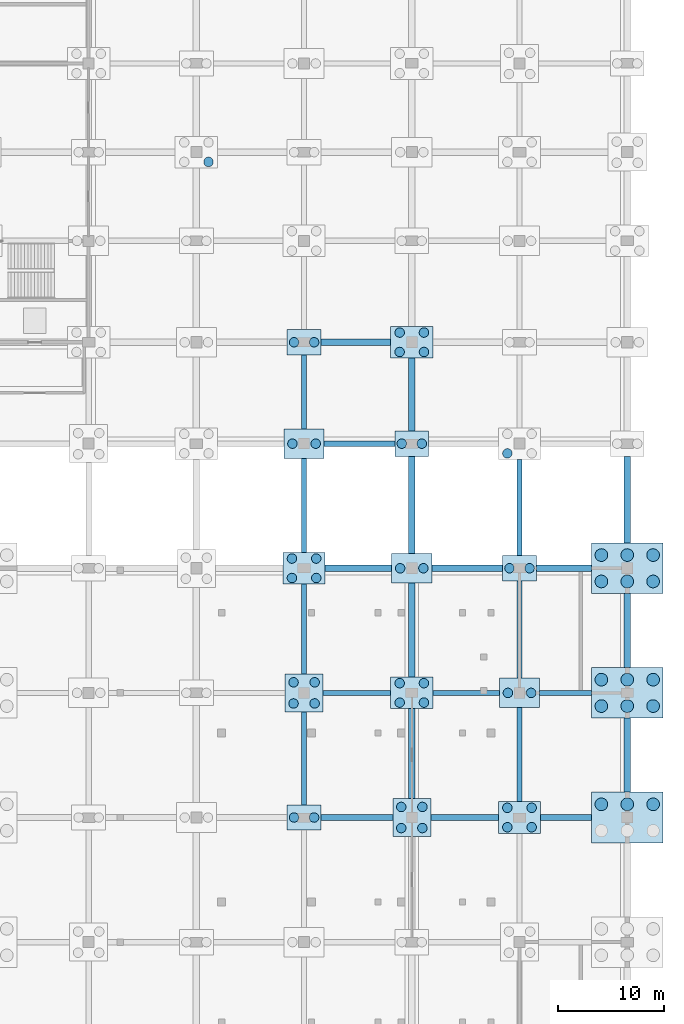
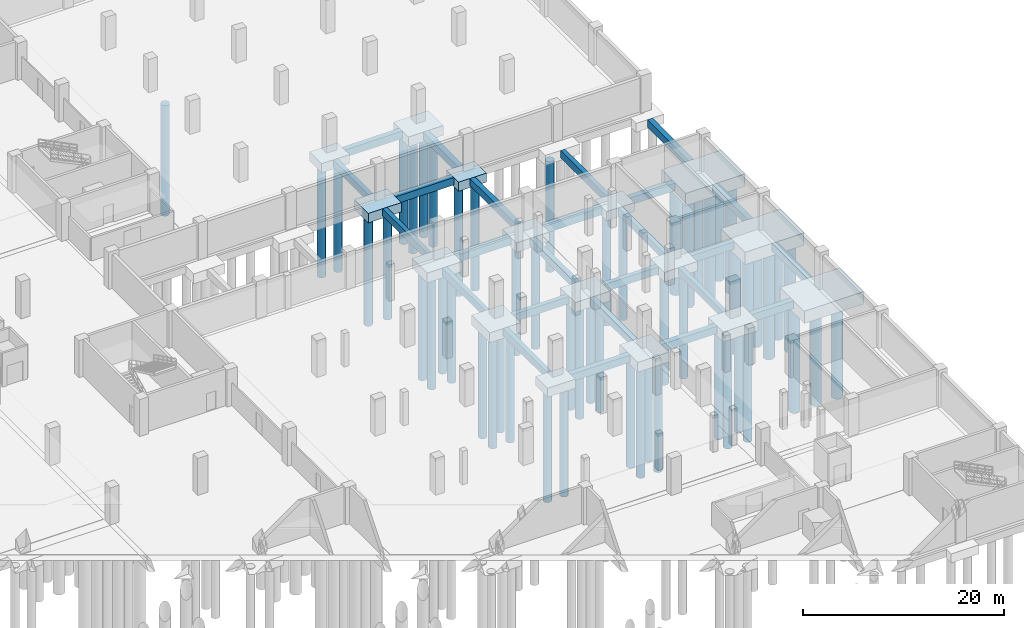
# One storey, part 16 of 52: 55 piles, 41 footings.
"""IFC4 building model written with IfcOpenShell, lengths in metres."""

from ifc_helpers import new_model, si_unit, direction, frame, origin, origin_2d, place, context, subcontext, project, spatial, polyline, rectangle, circle, outline, extrude, material, material_profile, profile_set, type_object, element, save


model = new_model("IFC4")

# Units and contexts
model_context = context("Model", 3, precision=1e-05, world=origin(), true_north=direction((0.0, 1.0)))
body_context = subcontext(model_context, "Body", "Model", "MODEL_VIEW")
ifc_project = project(units=[si_unit("LENGTHUNIT", "METRE"), si_unit("AREAUNIT", "SQUARE_METRE"), si_unit("VOLUMEUNIT", "CUBIC_METRE"), si_unit("PLANEANGLEUNIT", "RADIAN"), si_unit("MASSUNIT", "GRAM", prefix="KILO")], contexts=[model_context])

# Site, building, storey
site_placement = place(None, origin())
site = spatial("IfcSite", under=ifc_project, at=site_placement, CompositionType="ELEMENT")
building_placement = place(site_placement, origin())
building = spatial("IfcBuilding", under=site, at=building_placement, Name="Brelvane Convention Centre", CompositionType="ELEMENT")
storey_placement = place(building_placement, frame((0.0, 0.0, -4.5)))
storey = spatial("IfcBuildingStorey", under=building, at=storey_placement, Name="B1", CompositionType="ELEMENT", Elevation=-4.5)

# Piles
ifc_material_1 = material(Name="Concrete M40", Category="concrete")
ifc_material_profile_1 = material_profile(ifc_material_1, circle(Radius=0.60009765625, at=origin_2d()), Name="PILE D1200")
ifc_profile_set_1 = profile_set([ifc_material_profile_1], Name="Concrete M40")
pile_type_1 = type_object("IfcPileType", Name="Bored Pile PL-1200", PredefinedType="BORED", material=ifc_profile_set_1)
for number, where, z_axis, x_axis, name in (
    (1, (221.949951171875, 65.449951171875, -1.85009765625), (0.0, 0.0, -1.0), (1.0, 0.0, 0.0), "Bored Pile PL-1200 23-G-4"),
    (2, (224.39990234375, 65.449951171875, -1.85009765625), (0.0, 0.0, -1.0), (1.0, 0.0, 0.0), "Bored Pile PL-1200 23-G-5"),
    (3, (226.85009765625, 65.449951171875, -1.85009765625), (0.0, 0.0, -1.0), (1.0, 0.0, 0.0), "Bored Pile PL-1200 23-G-6"),
    (4, (221.949951171875, 74.75, -1.85009765625), (0.0, 0.0, -1.0), (1.0, 0.0, 0.0), "Bored Pile PL-1200 23-H-1"),
    (5, (224.39990234375, 74.75, -1.85009765625), (0.0, 0.0, -1.0), (1.0, 0.0, 0.0), "Bored Pile PL-1200 23-H-2"),
    (6, (226.85009765625, 74.75, -1.85009765625), (0.0, 0.0, -1.0), (1.0, 0.0, 0.0), "Bored Pile PL-1200 23-H-3"),
    (7, (221.949951171875, 77.25, -1.85009765625), (0.0, 0.0, -1.0), (1.0, 0.0, 0.0), "Bored Pile PL-1200 23-H-4"),
    (8, (224.39990234375, 77.25, -1.85009765625), (0.0, 0.0, -1.0), (1.0, 0.0, 0.0), "Bored Pile PL-1200 23-H-5"),
    (9, (226.85009765625, 77.25, -1.85009765625), (0.0, 0.0, -1.0), (1.0, 0.0, 0.0), "Bored Pile PL-1200 23-H-6"),
    (10, (221.949951171875, 86.550048828125, -1.85009765625), (0.0, 0.0, -1.0), (1.0, 0.0, 0.0), "Bored Pile PL-1200 23-J-1"),
    (11, (224.39990234375, 86.550048828125, -1.85009765625), (0.0, 0.0, -1.0), (1.0, 0.0, 0.0), "Bored Pile PL-1200 23-J-2"),
    (12, (226.85009765625, 86.550048828125, -1.85009765625), (0.0, 0.0, -1.0), (1.0, 0.0, 0.0), "Bored Pile PL-1200 23-J-3"),
    (13, (221.949951171875, 89.050048828125, -1.85009765625), (0.0, 0.0, -1.0), (1.0, 0.0, 0.0), "Bored Pile PL-1200 23-J-4"),
    (14, (224.39990234375, 89.050048828125, -1.85009765625), (0.0, 0.0, -1.0), (1.0, 0.0, 0.0), "Bored Pile PL-1200 23-J-5"),
    (15, (226.85009765625, 89.050048828125, -1.85009765625), (0.0, 0.0, -1.0), (1.0, 0.0, 0.0), "Bored Pile PL-1200 23-J-6"),
):
    element("IfcPile", number, at=place(storey_placement, frame(where, z_axis=z_axis, x_axis=x_axis)), inside=storey, type_object=pile_type_1, Name=name, PredefinedType="BORED", context=body_context, shape_type="SweptSolid", body=[
        extrude(circle(Radius=0.60009765625, at=origin_2d()), origin(), (0.0, 0.0, 1.0), 13.14990234375),
    ])
ifc_material_2 = material(Name="Concrete M40", Category="concrete")
ifc_material_profile_2 = material_profile(ifc_material_2, circle(Radius=0.449951171875, at=origin_2d()), Name="PILE D900")
ifc_profile_set_2 = profile_set([ifc_material_profile_2], Name="Concrete M40")
pile_type_2 = type_object("IfcPileType", Name="Bored Pile PL-900", PredefinedType="BORED", material=ifc_profile_set_2)
pile_1_placement = place(storey_placement, frame((184.75, 126.280029296875, -1.550048828125), z_axis=(0.0, 0.0, -1.0), x_axis=(1.0, 0.0, 0.0)))
element("IfcPile", 16, at=pile_1_placement, inside=storey, type_object=pile_type_2, Name="Bored Pile PL-900 19-N-2", PredefinedType="BORED", context=body_context, shape_type="SweptSolid", body=[
    extrude(circle(Radius=0.449951171875, at=origin_2d()), origin(), (0.0, 0.0, 1.0), 13.449951171875),
])
for number, where, z_axis, x_axis, name in (
    (17, (192.85009765625, 64.199951171875, -1.449951171875), (0.0, 0.0, -1.0), (1.0, 0.0, 0.0), "Bored Pile PL-900 20-G-1"),
    (18, (194.75, 64.199951171875, -1.449951171875), (0.0, 0.0, -1.0), (1.0, 0.0, 0.0), "Bored Pile PL-900 20-G-2"),
):
    element("IfcPile", number, at=place(storey_placement, frame(where, z_axis=z_axis, x_axis=x_axis)), inside=storey, type_object=pile_type_2, Name=name, PredefinedType="BORED", context=body_context, shape_type="SweptSolid", body=[
        extrude(circle(Radius=0.449951171875, at=origin_2d()), origin(), (0.0, 0.0, 1.0), 13.550048828125),
    ])
for number, where, z_axis, x_axis, name in (
    (19, (192.800048828125, 75.0, -1.550048828125), (0.0, 0.0, -1.0), (1.0, 0.0, 0.0), "Bored Pile PL-900 20-H-1"),
    (20, (194.800048828125, 75.0, -1.550048828125), (0.0, 0.0, -1.0), (1.0, 0.0, 0.0), "Bored Pile PL-900 20-H-2"),
    (21, (192.800048828125, 77.0, -1.550048828125), (0.0, 0.0, -1.0), (1.0, 0.0, 0.0), "Bored Pile PL-900 20-H-3"),
    (22, (194.800048828125, 77.0, -1.550048828125), (0.0, 0.0, -1.0), (1.0, 0.0, 0.0), "Bored Pile PL-900 20-H-4"),
    (23, (192.64990234375, 86.8798828125, -1.550048828125), (0.0, 0.0, -1.0), (1.0, 0.0, 0.0), "Bored Pile PL-900 20-J-1"),
    (24, (194.949951171875, 86.8798828125, -1.550048828125), (0.0, 0.0, -1.0), (1.0, 0.0, 0.0), "Bored Pile PL-900 20-J-2"),
    (25, (192.64990234375, 88.719970703125, -1.550048828125), (0.0, 0.0, -1.0), (1.0, 0.0, 0.0), "Bored Pile PL-900 20-J-3"),
    (26, (194.949951171875, 88.719970703125, -1.550048828125), (0.0, 0.0, -1.0), (1.0, 0.0, 0.0), "Bored Pile PL-900 20-J-4"),
):
    element("IfcPile", number, at=place(storey_placement, frame(where, z_axis=z_axis, x_axis=x_axis)), inside=storey, type_object=pile_type_2, Name=name, PredefinedType="BORED", context=body_context, shape_type="SweptSolid", body=[
        extrude(circle(Radius=0.449951171875, at=origin_2d()), origin(), (0.0, 0.0, 1.0), 13.449951171875),
    ])
for number, where, z_axis, x_axis, name in (
    (27, (192.699951171875, 99.60009765625, -1.5), (0.0, 0.0, -1.0), (1.0, 0.0, 0.0), "Bored Pile PL-900 20-K-1"),
    (28, (194.89990234375, 99.60009765625, -1.5), (0.0, 0.0, -1.0), (1.0, 0.0, 0.0), "Bored Pile PL-900 20-K-2"),
):
    element("IfcPile", number, at=place(storey_placement, frame(where, z_axis=z_axis, x_axis=x_axis)), inside=storey, type_object=pile_type_2, Name=name, PredefinedType="BORED", context=body_context, shape_type="SweptSolid", body=[
        extrude(circle(Radius=0.449951171875, at=origin_2d()), origin(), (0.0, 0.0, 1.0), 13.5),
    ])
for number, where, z_axis, x_axis, name in (
    (29, (192.85009765625, 109.199951171875, -1.449951171875), (0.0, 0.0, -1.0), (1.0, 0.0, 0.0), "Bored Pile PL-900 20-L-1"),
    (30, (194.75, 109.199951171875, -1.449951171875), (0.0, 0.0, -1.0), (1.0, 0.0, 0.0), "Bored Pile PL-900 20-L-2"),
):
    element("IfcPile", number, at=place(storey_placement, frame(where, z_axis=z_axis, x_axis=x_axis)), inside=storey, type_object=pile_type_2, Name=name, PredefinedType="BORED", context=body_context, shape_type="SweptSolid", body=[
        extrude(circle(Radius=0.449951171875, at=origin_2d()), origin(), (0.0, 0.0, 1.0), 13.550048828125),
    ])
for number, where, z_axis, x_axis, name in (
    (31, (203.0, 63.199951171875, -1.550048828125), (0.0, 0.0, -1.0), (1.0, 0.0, 0.0), "Bored Pile PL-900 21-G-1"),
    (32, (205.0, 63.199951171875, -1.550048828125), (0.0, 0.0, -1.0), (1.0, 0.0, 0.0), "Bored Pile PL-900 21-G-2"),
    (33, (203.0, 65.199951171875, -1.550048828125), (0.0, 0.0, -1.0), (1.0, 0.0, 0.0), "Bored Pile PL-900 21-G-3"),
    (34, (205.0, 65.199951171875, -1.550048828125), (0.0, 0.0, -1.0), (1.0, 0.0, 0.0), "Bored Pile PL-900 21-G-4"),
    (35, (202.85009765625, 75.080078125, -1.550048828125), (0.0, 0.0, -1.0), (1.0, 0.0, 0.0), "Bored Pile PL-900 21-H-1"),
    (36, (205.14990234375, 75.080078125, -1.550048828125), (0.0, 0.0, -1.0), (1.0, 0.0, 0.0), "Bored Pile PL-900 21-H-2"),
    (37, (202.85009765625, 76.919921875, -1.550048828125), (0.0, 0.0, -1.0), (1.0, 0.0, 0.0), "Bored Pile PL-900 21-H-3"),
    (38, (205.14990234375, 76.919921875, -1.550048828125), (0.0, 0.0, -1.0), (1.0, 0.0, 0.0), "Bored Pile PL-900 21-H-4"),
):
    element("IfcPile", number, at=place(storey_placement, frame(where, z_axis=z_axis, x_axis=x_axis)), inside=storey, type_object=pile_type_2, Name=name, PredefinedType="BORED", context=body_context, shape_type="SweptSolid", body=[
        extrude(circle(Radius=0.449951171875, at=origin_2d()), origin(), (0.0, 0.0, 1.0), 13.449951171875),
    ])
for number, where, z_axis, x_axis, name in (
    (39, (202.89990234375, 87.800048828125, -1.5), (0.0, 0.0, -1.0), (1.0, 0.0, 0.0), "Bored Pile PL-900 21-J-1"),
    (40, (205.10009765625, 87.800048828125, -1.5), (0.0, 0.0, -1.0), (1.0, 0.0, 0.0), "Bored Pile PL-900 21-J-2"),
):
    element("IfcPile", number, at=place(storey_placement, frame(where, z_axis=z_axis, x_axis=x_axis)), inside=storey, type_object=pile_type_2, Name=name, PredefinedType="BORED", context=body_context, shape_type="SweptSolid", body=[
        extrude(circle(Radius=0.449951171875, at=origin_2d()), origin(), (0.0, 0.0, 1.0), 13.5),
    ])
for number, where, z_axis, x_axis, name in (
    (41, (203.050048828125, 99.60009765625, -1.449951171875), (0.0, 0.0, -1.0), (1.0, 0.0, 0.0), "Bored Pile PL-900 21-K-1"),
    (42, (204.949951171875, 99.60009765625, -1.449951171875), (0.0, 0.0, -1.0), (1.0, 0.0, 0.0), "Bored Pile PL-900 21-K-2"),
):
    element("IfcPile", number, at=place(storey_placement, frame(where, z_axis=z_axis, x_axis=x_axis)), inside=storey, type_object=pile_type_2, Name=name, PredefinedType="BORED", context=body_context, shape_type="SweptSolid", body=[
        extrude(circle(Radius=0.449951171875, at=origin_2d()), origin(), (0.0, 0.0, 1.0), 13.550048828125),
    ])
for number, where, z_axis, x_axis, name in (
    (43, (202.85009765625, 108.280029296875, -1.550048828125), (0.0, 0.0, -1.0), (1.0, 0.0, 0.0), "Bored Pile PL-900 21-L-1"),
    (44, (205.14990234375, 108.280029296875, -1.550048828125), (0.0, 0.0, -1.0), (1.0, 0.0, 0.0), "Bored Pile PL-900 21-L-2"),
    (45, (202.85009765625, 110.1201171875, -1.550048828125), (0.0, 0.0, -1.0), (1.0, 0.0, 0.0), "Bored Pile PL-900 21-L-3"),
    (46, (205.14990234375, 110.1201171875, -1.550048828125), (0.0, 0.0, -1.0), (1.0, 0.0, 0.0), "Bored Pile PL-900 21-L-4"),
    (47, (213.050048828125, 63.280029296875, -1.550048828125), (0.0, 0.0, -1.0), (1.0, 0.0, 0.0), "Bored Pile PL-900 22-G-1"),
    (48, (215.35009765625, 63.280029296875, -1.550048828125), (0.0, 0.0, -1.0), (1.0, 0.0, 0.0), "Bored Pile PL-900 22-G-2"),
    (49, (213.050048828125, 65.1201171875, -1.550048828125), (0.0, 0.0, -1.0), (1.0, 0.0, 0.0), "Bored Pile PL-900 22-G-3"),
    (50, (215.35009765625, 65.1201171875, -1.550048828125), (0.0, 0.0, -1.0), (1.0, 0.0, 0.0), "Bored Pile PL-900 22-G-4"),
):
    element("IfcPile", number, at=place(storey_placement, frame(where, z_axis=z_axis, x_axis=x_axis)), inside=storey, type_object=pile_type_2, Name=name, PredefinedType="BORED", context=body_context, shape_type="SweptSolid", body=[
        extrude(circle(Radius=0.449951171875, at=origin_2d()), origin(), (0.0, 0.0, 1.0), 13.449951171875),
    ])
for number, where, z_axis, x_axis, name in (
    (51, (213.10009765625, 76.0, -1.5), (0.0, 0.0, -1.0), (1.0, 0.0, 0.0), "Bored Pile PL-900 22-H-1"),
    (52, (215.300048828125, 76.0, -1.5), (0.0, 0.0, -1.0), (1.0, 0.0, 0.0), "Bored Pile PL-900 22-H-2"),
):
    element("IfcPile", number, at=place(storey_placement, frame(where, z_axis=z_axis, x_axis=x_axis)), inside=storey, type_object=pile_type_2, Name=name, PredefinedType="BORED", context=body_context, shape_type="SweptSolid", body=[
        extrude(circle(Radius=0.449951171875, at=origin_2d()), origin(), (0.0, 0.0, 1.0), 13.5),
    ])
for number, where, z_axis, x_axis, name in (
    (53, (213.25, 87.800048828125, -1.449951171875), (0.0, 0.0, -1.0), (1.0, 0.0, 0.0), "Bored Pile PL-900 22-J-1"),
    (54, (215.14990234375, 87.800048828125, -1.449951171875), (0.0, 0.0, -1.0), (1.0, 0.0, 0.0), "Bored Pile PL-900 22-J-2"),
):
    element("IfcPile", number, at=place(storey_placement, frame(where, z_axis=z_axis, x_axis=x_axis)), inside=storey, type_object=pile_type_2, Name=name, PredefinedType="BORED", context=body_context, shape_type="SweptSolid", body=[
        extrude(circle(Radius=0.449951171875, at=origin_2d()), origin(), (0.0, 0.0, 1.0), 13.550048828125),
    ])
pile_2_placement = place(storey_placement, frame((213.050048828125, 98.679931640625, -1.550048828125), z_axis=(0.0, 0.0, -1.0), x_axis=(1.0, 0.0, 0.0)))
element("IfcPile", 55, at=pile_2_placement, inside=storey, type_object=pile_type_2, Name="Bored Pile PL-900 22-K-1", PredefinedType="BORED", context=body_context, shape_type="SweptSolid", body=[
    extrude(circle(Radius=0.449951171875, at=origin_2d()), origin(), (0.0, 0.0, 1.0), 13.449951171875),
])

# Footings
ifc_material_3 = material(Name="Concrete M40", Category="concrete")
ifc_material_profile_3 = material_profile(ifc_material_3, rectangle(XDim=0.60009765625, YDim=0.89990234375, at=origin_2d()), Name="RC 600x900")
ifc_profile_set_3 = profile_set([ifc_material_profile_3], Name="Concrete M40")
footing_type_1 = type_object("IfcFootingType", Name="Ground Tie Beam GB-1", PredefinedType="FOOTING_BEAM", material=ifc_profile_set_3)
footing_1_placement = place(storey_placement, frame((195.39990234375, 64.199951171875, -0.89990234375), z_axis=(1.0, 0.0, 0.0), x_axis=(0.0, 1.0, 0.0)))
element("IfcFooting", 56, at=footing_1_placement, inside=storey, type_object=footing_type_1, Name="Ground Tie Beam GB-1 20-21/G", PredefinedType="FOOTING_BEAM", context=body_context, shape_type="SweptSolid", body=[
    extrude(rectangle(XDim=0.60009765625, YDim=0.89990234375, at=origin_2d()), origin(), (0.0, 0.0, 1.0), 6.800048828125),
])
footing_2_placement = place(storey_placement, frame((195.800048828125, 87.800048828125, -0.89990234375), z_axis=(1.0, 0.0, 0.0), x_axis=(0.0, 1.0, 0.0)))
element("IfcFooting", 57, at=footing_2_placement, inside=storey, type_object=footing_type_1, Name="Ground Tie Beam GB-1 20-21/J", PredefinedType="FOOTING_BEAM", context=body_context, shape_type="SweptSolid", body=[
    extrude(rectangle(XDim=0.60009765625, YDim=0.89990234375, at=origin_2d()), origin(), (0.0, 0.0, 1.0), 6.300048828125),
])
footing_3_placement = place(storey_placement, frame((195.39990234375, 109.199951171875, -0.89990234375), z_axis=(1.0, 0.0, 0.0), x_axis=(0.0, 1.0, 0.0)))
element("IfcFooting", 58, at=footing_3_placement, inside=storey, type_object=footing_type_1, Name="Ground Tie Beam GB-1 20-21/L", PredefinedType="FOOTING_BEAM", context=body_context, shape_type="SweptSolid", body=[
    extrude(rectangle(XDim=0.60009765625, YDim=0.89990234375, at=origin_2d()), origin(), (0.0, 0.0, 1.0), 6.60009765625),
])
footing_4_placement = place(storey_placement, frame((205.800048828125, 64.199951171875, -0.89990234375), z_axis=(1.0, 0.0, 0.0), x_axis=(0.0, 1.0, 0.0)))
element("IfcFooting", 59, at=footing_4_placement, inside=storey, type_object=footing_type_1, Name="Ground Tie Beam GB-1 21-22/G", PredefinedType="FOOTING_BEAM", context=body_context, shape_type="SweptSolid", body=[
    extrude(rectangle(XDim=0.60009765625, YDim=0.89990234375, at=origin_2d()), origin(), (0.0, 0.0, 1.0), 6.39990234375),
])
footing_5_placement = place(storey_placement, frame((204.0, 66.0, -0.89990234375), z_axis=(0.0, 1.0, 0.0), x_axis=(-1.0, 0.0, 0.0)))
element("IfcFooting", 60, at=footing_5_placement, inside=storey, type_object=footing_type_1, Name="Ground Tie Beam GB-1 21/G-H", PredefinedType="FOOTING_BEAM", context=body_context, shape_type="SweptSolid", body=[
    extrude(rectangle(XDim=0.60009765625, YDim=0.89990234375, at=origin_2d()), origin(), (0.0, 0.0, 1.0), 8.5),
])
footing_6_placement = place(storey_placement, frame((204.0, 77.5, -0.89990234375), z_axis=(0.0, 1.0, 0.0), x_axis=(-1.0, 0.0, 0.0)))
element("IfcFooting", 61, at=footing_6_placement, inside=storey, type_object=footing_type_1, Name="Ground Tie Beam GB-1 21/H-J", PredefinedType="FOOTING_BEAM", context=body_context, shape_type="SweptSolid", body=[
    extrude(rectangle(XDim=0.60009765625, YDim=0.89990234375, at=origin_2d()), origin(), (0.0, 0.0, 1.0), 8.89990234375),
])
footing_7_placement = place(storey_placement, frame((205.89990234375, 87.800048828125, -0.89990234375), z_axis=(1.0, 0.0, 0.0), x_axis=(0.0, 1.0, 0.0)))
element("IfcFooting", 62, at=footing_7_placement, inside=storey, type_object=footing_type_1, Name="Ground Tie Beam GB-1 21-22/J", PredefinedType="FOOTING_BEAM", context=body_context, shape_type="SweptSolid", body=[
    extrude(rectangle(XDim=0.60009765625, YDim=0.89990234375, at=origin_2d()), origin(), (0.0, 0.0, 1.0), 6.7001953125),
])
footing_8_placement = place(storey_placement, frame((204.0, 89.199951171875, -0.89990234375), z_axis=(0.0, 1.0, 0.0), x_axis=(-1.0, 0.0, 0.0)))
element("IfcFooting", 63, at=footing_8_placement, inside=storey, type_object=footing_type_1, Name="Ground Tie Beam GB-1 21/J-K", PredefinedType="FOOTING_BEAM", context=body_context, shape_type="SweptSolid", body=[
    extrude(rectangle(XDim=0.60009765625, YDim=0.89990234375, at=origin_2d()), origin(), (0.0, 0.0, 1.0), 9.199951171875),
])
footing_9_placement = place(storey_placement, frame((204.0, 100.800048828125, -0.89990234375), z_axis=(0.0, 1.0, 0.0), x_axis=(-1.0, 0.0, 0.0)))
element("IfcFooting", 64, at=footing_9_placement, inside=storey, type_object=footing_type_1, Name="Ground Tie Beam GB-1 21/K-L", PredefinedType="FOOTING_BEAM", context=body_context, shape_type="SweptSolid", body=[
    extrude(rectangle(XDim=0.60009765625, YDim=0.89990234375, at=origin_2d()), origin(), (0.0, 0.0, 1.0), 6.89990234375),
])
footing_10_placement = place(storey_placement, frame((216.199951171875, 64.199951171875, -0.89990234375), z_axis=(1.0, 0.0, 0.0), x_axis=(0.0, 1.0, 0.0)))
element("IfcFooting", 65, at=footing_10_placement, inside=storey, type_object=footing_type_1, Name="Ground Tie Beam GB-1 22-23/G", PredefinedType="FOOTING_BEAM", context=body_context, shape_type="SweptSolid", body=[
    extrude(rectangle(XDim=0.60009765625, YDim=0.89990234375, at=origin_2d()), origin(), (0.0, 0.0, 1.0), 4.800048828125),
])
footing_11_placement = place(storey_placement, frame((215.800048828125, 87.800048828125, -0.89990234375), z_axis=(1.0, 0.0, 0.0), x_axis=(0.0, 1.0, 0.0)))
element("IfcFooting", 66, at=footing_11_placement, inside=storey, type_object=footing_type_1, Name="Ground Tie Beam GB-1 22-23/J", PredefinedType="FOOTING_BEAM", context=body_context, shape_type="SweptSolid", body=[
    extrude(rectangle(XDim=0.60009765625, YDim=0.89990234375, at=origin_2d()), origin(), (0.0, 0.0, 1.0), 5.199951171875),
])
for number, where, z_axis, x_axis, name in (
    (67, (224.39990234375, 66.60009765625, -0.89990234375), (0.0, 1.0, 0.0), (-1.0, 0.0, 0.0), "Ground Tie Beam GB-1 23/G-H"),
    (68, (224.39990234375, 78.39990234375, -0.89990234375), (0.0, 1.0, 0.0), (-1.0, 0.0, 0.0), "Ground Tie Beam GB-1 23/H-J"),
):
    element("IfcFooting", number, at=place(storey_placement, frame(where, z_axis=z_axis, x_axis=x_axis)), inside=storey, type_object=footing_type_1, Name=name, PredefinedType="FOOTING_BEAM", context=body_context, shape_type="SweptSolid", body=[
        extrude(rectangle(XDim=0.60009765625, YDim=0.89990234375, at=origin_2d()), origin(), (0.0, 0.0, 1.0), 7.0),
    ])
footing_12_placement = place(storey_placement, frame((224.39990234375, 90.199951171875, -0.89990234375), z_axis=(0.0, 1.0, 0.0), x_axis=(-1.0, 0.0, 0.0)))
element("IfcFooting", 69, at=footing_12_placement, inside=storey, type_object=footing_type_1, Name="Ground Tie Beam GB-1 23/J-K", PredefinedType="FOOTING_BEAM", context=body_context, shape_type="SweptSolid", body=[
    extrude(rectangle(XDim=0.60009765625, YDim=0.89990234375, at=origin_2d()), origin(), (0.0, 0.0, 1.0), 8.199951171875),
])
ifc_material_4 = material(Name="Concrete M40", Category="concrete")
ifc_material_profile_4 = material_profile(ifc_material_4, rectangle(XDim=0.5, YDim=0.89990234375, at=origin_2d()), Name="RC 500x900")
ifc_profile_set_4 = profile_set([ifc_material_profile_4], Name="Concrete M40")
footing_type_2 = type_object("IfcFootingType", Name="Ground Tie Beam GB-2", PredefinedType="FOOTING_BEAM", material=ifc_profile_set_4)
footing_13_placement = place(storey_placement, frame((193.800048828125, 65.39990234375, -0.89990234375), z_axis=(0.0, 1.0, 0.0), x_axis=(-1.0, 0.0, 0.0)))
element("IfcFooting", 70, at=footing_13_placement, inside=storey, type_object=footing_type_2, Name="Ground Tie Beam GB-2 20/G-H", PredefinedType="FOOTING_BEAM", context=body_context, shape_type="SweptSolid", body=[
    extrude(rectangle(XDim=0.5, YDim=0.89990234375, at=origin_2d()), origin(), (0.0, 0.0, 1.0), 8.800048828125),
])
footing_14_placement = place(storey_placement, frame((195.60009765625, 76.0, -0.89990234375), z_axis=(1.0, 0.0, 0.0), x_axis=(0.0, 1.0, 0.0)))
element("IfcFooting", 71, at=footing_14_placement, inside=storey, type_object=footing_type_2, Name="Ground Tie Beam GB-2 20-21/H", PredefinedType="FOOTING_BEAM", context=body_context, shape_type="SweptSolid", body=[
    extrude(rectangle(XDim=0.5, YDim=0.89990234375, at=origin_2d()), origin(), (0.0, 0.0, 1.0), 6.39990234375),
])
footing_15_placement = place(storey_placement, frame((193.800048828125, 77.800048828125, -0.89990234375), z_axis=(0.0, 1.0, 0.0), x_axis=(-1.0, 0.0, 0.0)))
element("IfcFooting", 72, at=footing_15_placement, inside=storey, type_object=footing_type_2, Name="Ground Tie Beam GB-2 20/H-J", PredefinedType="FOOTING_BEAM", context=body_context, shape_type="SweptSolid", body=[
    extrude(rectangle(XDim=0.5, YDim=0.89990234375, at=origin_2d()), origin(), (0.0, 0.0, 1.0), 8.5),
])
footing_16_placement = place(storey_placement, frame((193.800048828125, 89.300048828125, -0.89990234375), z_axis=(0.0, 1.0, 0.0), x_axis=(-1.0, 0.0, 0.0)))
element("IfcFooting", 73, at=footing_16_placement, inside=storey, type_object=footing_type_2, Name="Ground Tie Beam GB-2 20/J-K", PredefinedType="FOOTING_BEAM", context=body_context, shape_type="SweptSolid", body=[
    extrude(rectangle(XDim=0.5, YDim=0.89990234375, at=origin_2d()), origin(), (0.0, 0.0, 1.0), 8.89990234375),
])
footing_17_placement = place(storey_placement, frame((195.699951171875, 99.60009765625, -0.89990234375), z_axis=(1.0, 0.0, 0.0), x_axis=(0.0, 1.0, 0.0)))
element("IfcFooting", 74, at=footing_17_placement, inside=storey, type_object=footing_type_2, Name="Ground Tie Beam GB-2 20-21/K", PredefinedType="FOOTING_BEAM", context=body_context, shape_type="SweptSolid", body=[
    extrude(rectangle(XDim=0.5, YDim=0.89990234375, at=origin_2d()), origin(), (0.0, 0.0, 1.0), 6.699951171875),
])
footing_18_placement = place(storey_placement, frame((193.800048828125, 101.0, -0.89990234375), z_axis=(0.0, 1.0, 0.0), x_axis=(-1.0, 0.0, 0.0)))
element("IfcFooting", 75, at=footing_18_placement, inside=storey, type_object=footing_type_2, Name="Ground Tie Beam GB-2 20/K-L", PredefinedType="FOOTING_BEAM", context=body_context, shape_type="SweptSolid", body=[
    extrude(rectangle(XDim=0.5, YDim=0.89990234375, at=origin_2d()), origin(), (0.0, 0.0, 1.0), 7.0),
])
footing_19_placement = place(storey_placement, frame((206.0, 76.0, -0.89990234375), z_axis=(1.0, 0.0, 0.0), x_axis=(0.0, 1.0, 0.0)))
element("IfcFooting", 76, at=footing_19_placement, inside=storey, type_object=footing_type_2, Name="Ground Tie Beam GB-2 21-22/H", PredefinedType="FOOTING_BEAM", context=body_context, shape_type="SweptSolid", body=[
    extrude(rectangle(XDim=0.5, YDim=0.89990234375, at=origin_2d()), origin(), (0.0, 0.0, 1.0), 6.300048828125),
])
footing_20_placement = place(storey_placement, frame((214.199951171875, 65.699951171875, -0.89990234375), z_axis=(0.0, 1.0, 0.0), x_axis=(-1.0, 0.0, 0.0)))
element("IfcFooting", 77, at=footing_20_placement, inside=storey, type_object=footing_type_2, Name="Ground Tie Beam GB-2 22/G-H", PredefinedType="FOOTING_BEAM", context=body_context, shape_type="SweptSolid", body=[
    extrude(rectangle(XDim=0.5, YDim=0.89990234375, at=origin_2d()), origin(), (0.0, 0.0, 1.0), 8.900146484375),
])
footing_21_placement = place(storey_placement, frame((216.10009765625, 76.0, -0.89990234375), z_axis=(1.0, 0.0, 0.0), x_axis=(0.0, 1.0, 0.0)))
element("IfcFooting", 78, at=footing_21_placement, inside=storey, type_object=footing_type_2, Name="Ground Tie Beam GB-2 22-23/H", PredefinedType="FOOTING_BEAM", context=body_context, shape_type="SweptSolid", body=[
    extrude(rectangle(XDim=0.5, YDim=0.89990234375, at=origin_2d()), origin(), (0.0, 0.0, 1.0), 4.89990234375),
])
footing_22_placement = place(storey_placement, frame((214.199951171875, 77.39990234375, -0.89990234375), z_axis=(0.0, 1.0, 0.0), x_axis=(-1.0, 0.0, 0.0)))
element("IfcFooting", 79, at=footing_22_placement, inside=storey, type_object=footing_type_2, Name="Ground Tie Beam GB-2 22/H-J", PredefinedType="FOOTING_BEAM", context=body_context, shape_type="SweptSolid", body=[
    extrude(rectangle(XDim=0.5, YDim=0.89990234375, at=origin_2d()), origin(), (0.0, 0.0, 1.0), 9.2001953125),
])
footing_23_placement = place(storey_placement, frame((214.199951171875, 89.0, -0.89990234375), z_axis=(0.0, 1.0, 0.0), x_axis=(-1.0, 0.0, 0.0)))
element("IfcFooting", 80, at=footing_23_placement, inside=storey, type_object=footing_type_2, Name="Ground Tie Beam GB-2 22/J-K", PredefinedType="FOOTING_BEAM", context=body_context, shape_type="SweptSolid", body=[
    extrude(rectangle(XDim=0.5, YDim=0.89990234375, at=origin_2d()), origin(), (0.0, 0.0, 1.0), 9.10009765625),
])
ifc_material_5 = material(Name="Concrete M40", Category="concrete")
footing_type_3 = type_object("IfcFootingType", Name="Pile Cap PC-2", PredefinedType="PILE_CAP", material=ifc_material_5)
footing_24_placement = place(storey_placement, frame((0.0, 0.0, -1.550048828125)))
element("IfcFooting", 81, at=footing_24_placement, inside=storey, type_object=footing_type_3, Name="Pile Cap PC-2 at 20-G", PredefinedType="PILE_CAP", context=body_context, shape_type="SweptSolid", body=[
    extrude(outline(polyline([(192.199951171875, 63.0), (195.39990234375, 63.0), (195.39990234375, 65.39990234375), (192.199951171875, 65.39990234375), (192.199951171875, 63.0)])), origin(), (0.0, 0.0, 1.0), 1.10009765625),
])
footing_25_placement = place(storey_placement, frame((0.0, 0.0, -1.550048828125)))
element("IfcFooting", 82, at=footing_25_placement, inside=storey, type_object=footing_type_3, Name="Pile Cap PC-2 at 20-L", PredefinedType="PILE_CAP", context=body_context, shape_type="SweptSolid", body=[
    extrude(outline(polyline([(192.199951171875, 108.0), (195.39990234375, 108.0), (195.39990234375, 110.39990234375), (192.199951171875, 110.39990234375), (192.199951171875, 108.0)])), origin(), (0.0, 0.0, 1.0), 1.10009765625),
])
footing_26_placement = place(storey_placement, frame((0.0, 0.0, -1.550048828125)))
element("IfcFooting", 83, at=footing_26_placement, inside=storey, type_object=footing_type_3, Name="Pile Cap PC-2 at 21-K", PredefinedType="PILE_CAP", context=body_context, shape_type="SweptSolid", body=[
    extrude(outline(polyline([(202.39990234375, 98.39990234375), (205.60009765625, 98.39990234375), (205.60009765625, 100.800048828125), (202.39990234375, 100.800048828125), (202.39990234375, 98.39990234375)])), origin(), (0.0, 0.0, 1.0), 1.10009765625),
])
footing_27_placement = place(storey_placement, frame((0.0, 0.0, -1.550048828125)))
element("IfcFooting", 84, at=footing_27_placement, inside=storey, type_object=footing_type_3, Name="Pile Cap PC-2 at 22-J", PredefinedType="PILE_CAP", context=body_context, shape_type="SweptSolid", body=[
    extrude(outline(polyline([(212.60009765625, 86.60009765625), (215.800048828125, 86.60009765625), (215.800048828125, 89.0), (212.60009765625, 89.0), (212.60009765625, 86.60009765625)])), origin(), (0.0, 0.0, 1.0), 1.10009765625),
])
ifc_material_6 = material(Name="Concrete M40", Category="concrete")
footing_type_4 = type_object("IfcFootingType", Name="Pile Cap PC-3", PredefinedType="PILE_CAP", material=ifc_material_6)
footing_28_placement = place(storey_placement, frame((0.0, 0.0, -1.64990234375)))
element("IfcFooting", 85, at=footing_28_placement, inside=storey, type_object=footing_type_4, Name="Pile Cap PC-3 at 20-H", PredefinedType="PILE_CAP", context=body_context, shape_type="SweptSolid", body=[
    extrude(outline(polyline([(192.0, 74.199951171875), (195.60009765625, 74.199951171875), (195.60009765625, 77.800048828125), (192.0, 77.800048828125), (192.0, 74.199951171875)])), origin(), (0.0, 0.0, 1.0), 1.199951171875),
])
footing_29_placement = place(storey_placement, frame((0.0, 0.0, -1.64990234375)))
element("IfcFooting", 86, at=footing_29_placement, inside=storey, type_object=footing_type_4, Name="Pile Cap PC-3 at 21-G", PredefinedType="PILE_CAP", context=body_context, shape_type="SweptSolid", body=[
    extrude(outline(polyline([(202.199951171875, 62.39990234375), (205.800048828125, 62.39990234375), (205.800048828125, 66.0), (202.199951171875, 66.0), (202.199951171875, 62.39990234375)])), origin(), (0.0, 0.0, 1.0), 1.199951171875),
])
ifc_material_7 = material(Name="Concrete M40", Category="concrete")
footing_type_5 = type_object("IfcFootingType", Name="Pile Cap PC-4", PredefinedType="PILE_CAP", material=ifc_material_7)
footing_30_placement = place(storey_placement, frame((0.0, 0.0, -1.64990234375)))
element("IfcFooting", 87, at=footing_30_placement, inside=storey, type_object=footing_type_5, Name="Pile Cap PC-4 at 20-J", PredefinedType="PILE_CAP", context=body_context, shape_type="SweptSolid", body=[
    extrude(outline(polyline([(191.800048828125, 86.300048828125), (195.800048828125, 86.300048828125), (195.800048828125, 89.300048828125), (191.800048828125, 89.300048828125), (191.800048828125, 86.300048828125)])), origin(), (0.0, 0.0, 1.0), 1.199951171875),
])
footing_31_placement = place(storey_placement, frame((0.0, 0.0, -1.64990234375)))
element("IfcFooting", 88, at=footing_31_placement, inside=storey, type_object=footing_type_5, Name="Pile Cap PC-4 at 21-H", PredefinedType="PILE_CAP", context=body_context, shape_type="SweptSolid", body=[
    extrude(outline(polyline([(202.0, 74.5), (206.0, 74.5), (206.0, 77.5), (202.0, 77.5), (202.0, 74.5)])), origin(), (0.0, 0.0, 1.0), 1.199951171875),
])
footing_32_placement = place(storey_placement, frame((0.0, 0.0, -1.64990234375)))
element("IfcFooting", 89, at=footing_32_placement, inside=storey, type_object=footing_type_5, Name="Pile Cap PC-4 at 21-L", PredefinedType="PILE_CAP", context=body_context, shape_type="SweptSolid", body=[
    extrude(outline(polyline([(202.0, 107.699951171875), (206.0, 107.699951171875), (206.0, 110.699951171875), (202.0, 110.699951171875), (202.0, 107.699951171875)])), origin(), (0.0, 0.0, 1.0), 1.199951171875),
])
footing_33_placement = place(storey_placement, frame((0.0, 0.0, -1.64990234375)))
element("IfcFooting", 90, at=footing_33_placement, inside=storey, type_object=footing_type_5, Name="Pile Cap PC-4 at 22-G", PredefinedType="PILE_CAP", context=body_context, shape_type="SweptSolid", body=[
    extrude(outline(polyline([(212.199951171875, 62.699951171875), (216.199951171875, 62.699951171875), (216.199951171875, 65.699951171875), (212.199951171875, 65.699951171875), (212.199951171875, 62.699951171875)])), origin(), (0.0, 0.0, 1.0), 1.199951171875),
])
ifc_material_8 = material(Name="Concrete M40", Category="concrete")
footing_type_6 = type_object("IfcFootingType", Name="Pile Cap PC-8", PredefinedType="PILE_CAP", material=ifc_material_8)
footing_34_placement = place(storey_placement, frame((0.0, 0.0, -1.949951171875)))
element("IfcFooting", 91, at=footing_34_placement, inside=storey, type_object=footing_type_6, Name="Pile Cap PC-8 at 23-G", PredefinedType="PILE_CAP", context=body_context, shape_type="SweptSolid", body=[
    extrude(outline(polyline([(221.0, 61.800048828125), (227.800048828125, 61.800048828125), (227.800048828125, 66.60009765625), (221.0, 66.60009765625), (221.0, 61.800048828125)])), origin(), (0.0, 0.0, 1.0), 1.5),
])
footing_35_placement = place(storey_placement, frame((0.0, 0.0, -1.949951171875)))
element("IfcFooting", 92, at=footing_35_placement, inside=storey, type_object=footing_type_6, Name="Pile Cap PC-8 at 23-H", PredefinedType="PILE_CAP", context=body_context, shape_type="SweptSolid", body=[
    extrude(outline(polyline([(221.0, 73.60009765625), (227.800048828125, 73.60009765625), (227.800048828125, 78.39990234375), (221.0, 78.39990234375), (221.0, 73.60009765625)])), origin(), (0.0, 0.0, 1.0), 1.5),
])
footing_36_placement = place(storey_placement, frame((0.0, 0.0, -1.949951171875)))
element("IfcFooting", 93, at=footing_36_placement, inside=storey, type_object=footing_type_6, Name="Pile Cap PC-8 at 23-J", PredefinedType="PILE_CAP", context=body_context, shape_type="SweptSolid", body=[
    extrude(outline(polyline([(221.0, 85.39990234375), (227.800048828125, 85.39990234375), (227.800048828125, 90.199951171875), (221.0, 90.199951171875), (221.0, 85.39990234375)])), origin(), (0.0, 0.0, 1.0), 1.5),
])
ifc_material_9 = material(Name="Concrete M40", Category="concrete")
footing_type_7 = type_object("IfcFootingType", Name="Pile Cap PC-9", PredefinedType="PILE_CAP", material=ifc_material_9)
footing_37_placement = place(storey_placement, frame((0.0, 0.0, -1.60009765625)))
element("IfcFooting", 94, at=footing_37_placement, inside=storey, type_object=footing_type_7, Name="Pile Cap PC-9 at 20-K", PredefinedType="PILE_CAP", context=body_context, shape_type="SweptSolid", body=[
    extrude(outline(polyline([(191.89990234375, 98.199951171875), (195.699951171875, 98.199951171875), (195.699951171875, 101.0), (191.89990234375, 101.0), (191.89990234375, 98.199951171875)])), origin(), (0.0, 0.0, 1.0), 1.150146484375),
])
footing_38_placement = place(storey_placement, frame((0.0, 0.0, -1.60009765625)))
element("IfcFooting", 95, at=footing_38_placement, inside=storey, type_object=footing_type_7, Name="Pile Cap PC-9 at 21-J", PredefinedType="PILE_CAP", context=body_context, shape_type="SweptSolid", body=[
    extrude(outline(polyline([(202.10009765625, 86.39990234375), (205.89990234375, 86.39990234375), (205.89990234375, 89.199951171875), (202.10009765625, 89.199951171875), (202.10009765625, 86.39990234375)])), origin(), (0.0, 0.0, 1.0), 1.150146484375),
])
footing_39_placement = place(storey_placement, frame((0.0, 0.0, -1.60009765625)))
element("IfcFooting", 96, at=footing_39_placement, inside=storey, type_object=footing_type_7, Name="Pile Cap PC-9 at 22-H", PredefinedType="PILE_CAP", context=body_context, shape_type="SweptSolid", body=[
    extrude(outline(polyline([(212.300048828125, 74.60009765625), (216.10009765625, 74.60009765625), (216.10009765625, 77.39990234375), (212.300048828125, 77.39990234375), (212.300048828125, 74.60009765625)])), origin(), (0.0, 0.0, 1.0), 1.150146484375),
])

save(model, "model.ifc")
